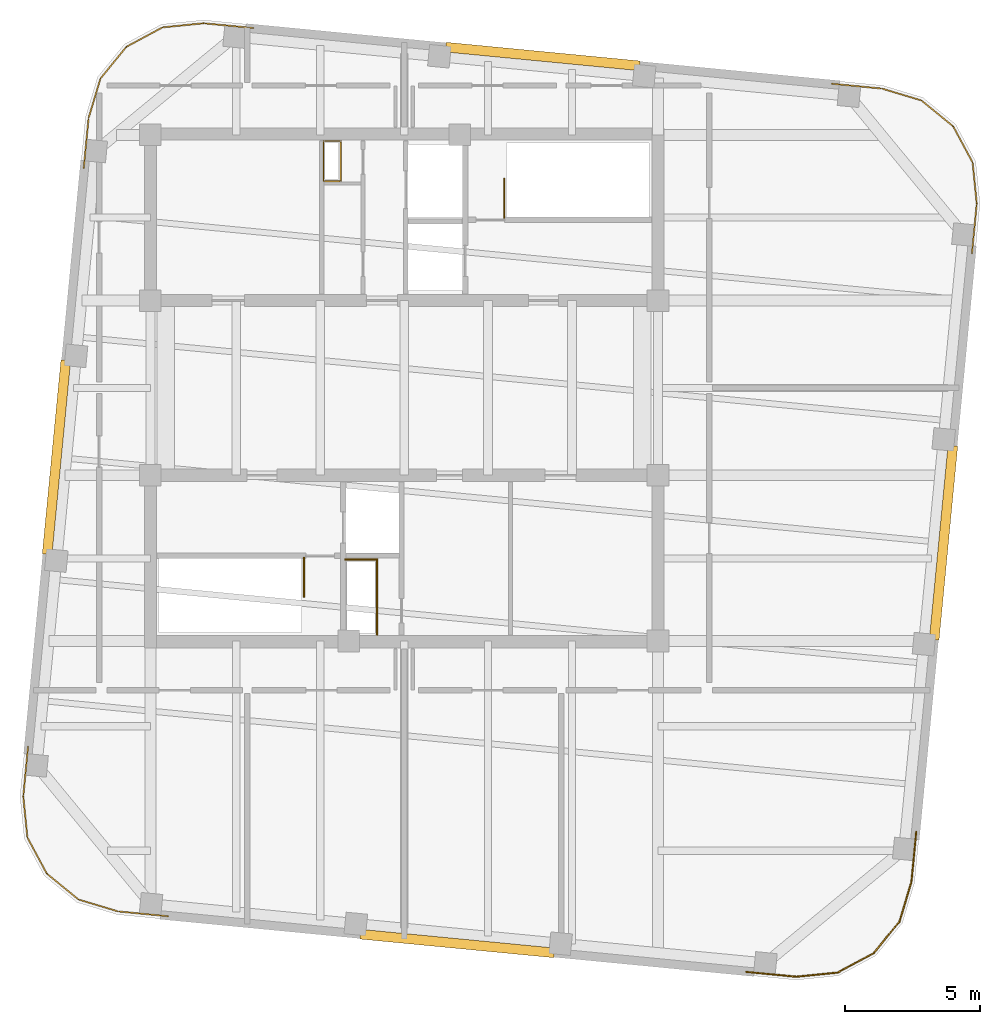
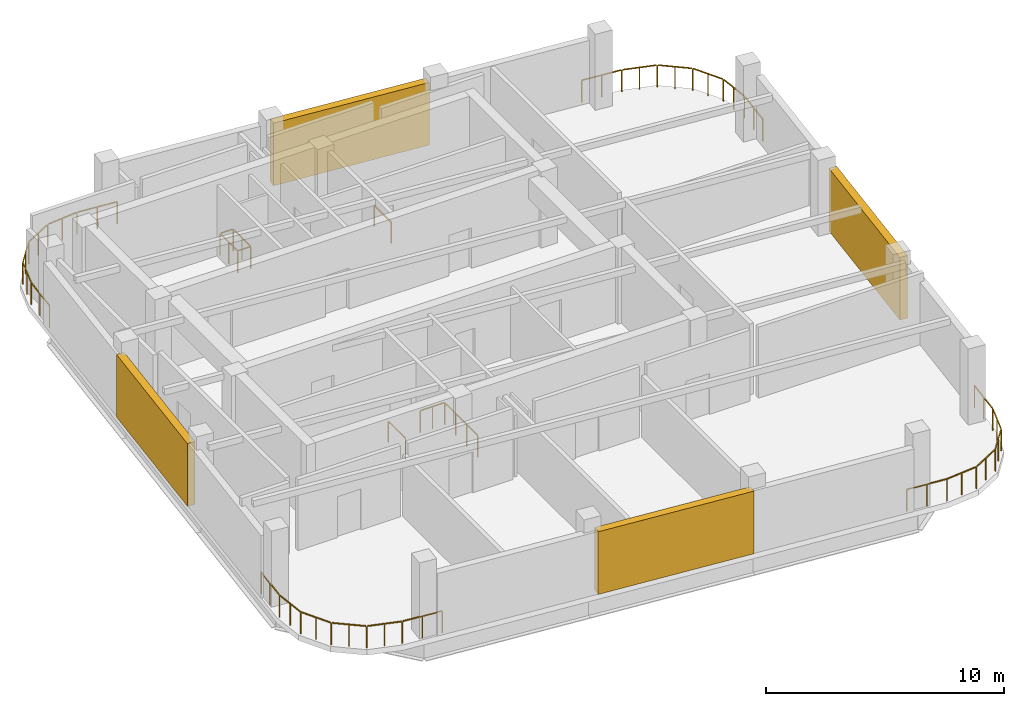
# One storey, part 5 of 5: 9 railings, 4 shading devices.
"""IFC4 building model written with IfcOpenShell, lengths in metres."""

from ifc_helpers import new_model, si_unit, direction, frame, origin, origin_2d, place, context, subcontext, project, spatial, rectangle, extrude, material, type_object, element, save


model = new_model("IFC4")

# Units and contexts
model_context = context("Model", 3, precision=1e-05, world=origin(), true_north=direction((0.0, 1.0)))
body_context = subcontext(model_context, "Body", "Model", "MODEL_VIEW")
ifc_project = project(units=[si_unit("LENGTHUNIT", "METRE"), si_unit("AREAUNIT", "SQUARE_METRE"), si_unit("VOLUMEUNIT", "CUBIC_METRE"), si_unit("PLANEANGLEUNIT", "RADIAN"), si_unit("MASSUNIT", "GRAM", prefix="KILO")], contexts=[model_context])

# Site, building, storey
site_placement = place(None, origin())
site = spatial("IfcSite", under=ifc_project, at=site_placement, CompositionType="ELEMENT")
building_placement = place(site_placement, origin())
building = spatial("IfcBuilding", under=site, at=building_placement, Name="Qhalaya Broadcast Tower", CompositionType="ELEMENT")
storey_placement = place(building_placement, frame((0.0, 0.0, 292.85009765625)))
storey = spatial("IfcBuildingStorey", under=building, at=storey_placement, Name="L86", CompositionType="ELEMENT", Elevation=292.85009765625)

# Shading devices
ifc_material_1 = material(Name="Fired Architectural Terracotta", Category="masonry")
shading_device_type = type_object("IfcShadingDeviceType", Name="Plant & Turbine-Slot Acoustic Louvre Screen LVS-01", PredefinedType="USERDEFINED", material=ifc_material_1)
for number, where, z_axis, x_axis, name in (
    (1, (1.96240234375, -19.92431640625, 0.0), (0.0, 0.0, 1.0), (-0.995396198367, 0.09584575252, 0.0), "L86 Plant Acoustic Louvre Screen S"),
    (2, (19.92431640625, -5.11767578125, 0.0), (0.0, 0.0, 1.0), (-0.09584575252, -0.995396198367, 0.0), "L86 Plant Acoustic Louvre Screen E"),
    (3, (5.11767578125, 12.84423828125, 0.0), (0.0, 0.0, 1.0), (0.995396198367, -0.09584575252, 0.0), "L86 Plant Acoustic Louvre Screen N"),
    (4, (-12.84423828125, -1.96240234375, 0.0), (0.0, 0.0, 1.0), (0.09584575252, 0.995396198367, 0.0), "L86 Plant Acoustic Louvre Screen W"),
):
    element("IfcShadingDevice", number, at=place(storey_placement, frame(where, z_axis=z_axis, x_axis=x_axis)), inside=storey, type_object=shading_device_type, Name=name, ObjectType="LOUVRE", PredefinedType="USERDEFINED", context=body_context, shape_type="SweptSolid", body=[
        extrude(rectangle(XDim=7.199951171875, YDim=0.360107421875, at=origin_2d()), origin(), (0.0, 0.0, 1.0), 3.214111328125),
    ])

# Railings
ifc_material_2 = material(Name="Powder-Coated Galvanised Steel", Category="steel")
railing_type_1 = type_object("IfcRailingType", Name="Stair Well & Landing Guardrail 1100", PredefinedType="GUARDRAIL", material=ifc_material_2)
railing_1_placement = place(storey_placement, frame((-2.340087890625, 8.239990234375, 0.0)))
element("IfcRailing", 5, at=railing_1_placement, inside=storey, type_object=railing_type_1, Name="L86 Service Riser Opening Safety Guard NRSR", PredefinedType="GUARDRAIL", context=body_context, shape_type="SweptSolid", body=[
    extrude(rectangle(XDim=0.048095703125, YDim=0.048095703125, at=origin_2d()), frame((0.0, 0.02880859375, 1.1259765625), z_axis=(0.0, 1.0, 0.0), x_axis=(-1.0, 0.0, 0.0)), (0.0, 0.0, 1.0), 1.42236328125),
    extrude(rectangle(XDim=0.048095703125, YDim=0.048095703125, at=origin_2d()), frame((-0.02880859375, 1.47998046875, 1.1259765625), z_axis=(-1.0, 0.0, 0.0), x_axis=(0.0, -1.0, 0.0)), (0.0, 0.0, 1.0), 0.582275390625),
    extrude(rectangle(XDim=0.048095703125, YDim=0.048095703125, at=origin_2d()), frame((-0.639892578125, 1.451171875, 1.1259765625), z_axis=(0.0, -1.0, 0.0), x_axis=(1.0, 0.0, 0.0)), (0.0, 0.0, 1.0), 1.42236328125),
    extrude(rectangle(XDim=0.048095703125, YDim=0.048095703125, at=origin_2d()), frame((-0.611083984375, 0.0, 1.1259765625), z_axis=(1.0, 0.0, 0.0), x_axis=(0.0, 1.0, 0.0)), (0.0, 0.0, 1.0), 0.582275390625),
    extrude(rectangle(XDim=0.0419921875, YDim=0.0419921875, at=origin_2d()), origin(), (0.0, 0.0, 1.0), 1.099853515625),
    extrude(rectangle(XDim=0.0419921875, YDim=0.0419921875, at=origin_2d()), frame((0.0, 0.739990234375, 0.0)), (0.0, 0.0, 1.0), 1.099853515625),
    extrude(rectangle(XDim=0.0419921875, YDim=0.0419921875, at=origin_2d()), frame((0.0, 1.47998046875, 0.0)), (0.0, 0.0, 1.0), 1.099853515625),
    extrude(rectangle(XDim=0.0419921875, YDim=0.0419921875, at=origin_2d()), frame((-0.639892578125, 1.47998046875, 0.0)), (0.0, 0.0, 1.0), 1.099853515625),
    extrude(rectangle(XDim=0.0419921875, YDim=0.0419921875, at=origin_2d()), frame((-0.639892578125, 0.739990234375, 0.0)), (0.0, 0.0, 1.0), 1.099853515625),
    extrude(rectangle(XDim=0.0419921875, YDim=0.0419921875, at=origin_2d()), frame((-0.639892578125, 0.0, 0.0)), (0.0, 0.0, 1.0), 1.099853515625),
])
railing_2_placement = place(storey_placement, frame((-1.0, -8.52001953125, 0.0)))
element("IfcRailing", 6, at=railing_2_placement, inside=storey, type_object=railing_type_1, Name="L86 Service Riser Opening Safety Guard SRSR", PredefinedType="GUARDRAIL", context=body_context, shape_type="SweptSolid", body=[
    extrude(rectangle(XDim=0.048095703125, YDim=0.048095703125, at=origin_2d()), frame((0.0, 0.0, 1.1259765625), z_axis=(0.0, 1.0, 0.0), x_axis=(-1.0, 0.0, 0.0)), (0.0, 0.0, 1.0), 2.751220703125),
    extrude(rectangle(XDim=0.048095703125, YDim=0.048095703125, at=origin_2d()), frame((-0.02880859375, 2.780029296875, 1.1259765625), z_axis=(-1.0, 0.0, 0.0), x_axis=(0.0, -1.0, 0.0)), (0.0, 0.0, 1.0), 1.151123046875),
    extrude(rectangle(XDim=0.0419921875, YDim=0.0419921875, at=origin_2d()), origin(), (0.0, 0.0, 1.0), 1.099853515625),
    extrude(rectangle(XDim=0.0419921875, YDim=0.0419921875, at=origin_2d()), frame((0.0, 0.9267578125, 0.0)), (0.0, 0.0, 1.0), 1.099853515625),
    extrude(rectangle(XDim=0.0419921875, YDim=0.0419921875, at=origin_2d()), frame((0.0, 1.853271484375, 0.0)), (0.0, 0.0, 1.0), 1.099853515625),
    extrude(rectangle(XDim=0.0419921875, YDim=0.0419921875, at=origin_2d()), frame((0.0, 2.780029296875, 0.0)), (0.0, 0.0, 1.0), 1.099853515625),
    extrude(rectangle(XDim=0.0419921875, YDim=0.0419921875, at=origin_2d()), frame((-0.58984375, 2.780029296875, 0.0)), (0.0, 0.0, 1.0), 1.099853515625),
    extrude(rectangle(XDim=0.0419921875, YDim=0.0419921875, at=origin_2d()), frame((-1.179931640625, 2.780029296875, 0.0)), (0.0, 0.0, 1.0), 1.099853515625),
])
railing_3_placement = place(storey_placement, frame((3.699951171875, 6.8798828125, 0.0)))
element("IfcRailing", 7, at=railing_3_placement, inside=storey, type_object=railing_type_1, Name="L86 ST-1 Top Well Guard 1", PredefinedType="GUARDRAIL", context=body_context, shape_type="SweptSolid", body=[
    extrude(rectangle(XDim=0.048095703125, YDim=0.048095703125, at=origin_2d()), frame((0.0, 0.0, 1.076171875), z_axis=(0.0, 1.0, 0.0), x_axis=(-1.0, 0.0, 0.0)), (0.0, 0.0, 1.0), 1.440185546875),
    extrude(rectangle(XDim=0.0419921875, YDim=0.0419921875, at=origin_2d()), origin(), (0.0, 0.0, 1.0), 1.050048828125),
    extrude(rectangle(XDim=0.0419921875, YDim=0.0419921875, at=origin_2d()), frame((0.0, 1.440185546875, 0.0)), (0.0, 0.0, 1.0), 1.050048828125),
])
railing_4_placement = place(storey_placement, frame((-3.699951171875, -5.679931640625, 0.0)))
element("IfcRailing", 8, at=railing_4_placement, inside=storey, type_object=railing_type_1, Name="L86 ST-2 Top Well Guard 1", PredefinedType="GUARDRAIL", context=body_context, shape_type="SweptSolid", body=[
    extrude(rectangle(XDim=0.048095703125, YDim=0.048095703125, at=origin_2d()), frame((0.0, 0.0, 1.076171875), z_axis=(0.0, -1.0, 0.0), x_axis=(1.0, 0.0, 0.0)), (0.0, 0.0, 1.0), 1.440185546875),
    extrude(rectangle(XDim=0.0419921875, YDim=0.0419921875, at=origin_2d()), origin(), (0.0, 0.0, 1.0), 1.050048828125),
    extrude(rectangle(XDim=0.0419921875, YDim=0.0419921875, at=origin_2d()), frame((0.0, -1.440185546875, 0.0)), (0.0, 0.0, 1.0), 1.050048828125),
])
railing_type_2 = type_object("IfcRailingType", Name="Terrace, Sky-Pool & Lookout Glass Balustrade 1150", PredefinedType="BALUSTRADE", material=ifc_material_2)
railing_5_placement = place(storey_placement, frame((14.49072265625, -21.150634765625, 0.0)))
element("IfcRailing", 9, at=railing_5_placement, inside=storey, type_object=railing_type_2, Name="L86 Rounded Corner Perimeter Guard 01", PredefinedType="BALUSTRADE", context=body_context, shape_type="SweptSolid", body=[
    extrude(rectangle(XDim=0.048095703125, YDim=0.048095703125, at=origin_2d()), frame((0.0, 0.0, 1.1259765625), z_axis=(-0.995392627918, 0.095882825813, 0.0), x_axis=(-0.095882825813, -0.995392627918, 0.0)), (0.0, 0.0, 1.0), 1.856201171875),
    extrude(rectangle(XDim=0.0419921875, YDim=0.0419921875, at=origin_2d()), origin(), (0.0, 0.0, 1.0), 1.099853515625),
    extrude(rectangle(XDim=0.0419921875, YDim=0.0419921875, at=origin_2d()), frame((-0.923828125, 0.0888671875, 0.0)), (0.0, 0.0, 1.0), 1.099853515625),
    extrude(rectangle(XDim=0.0419921875, YDim=0.0419921875, at=origin_2d()), frame((-1.84765625, 0.177978515625, 0.0)), (0.0, 0.0, 1.0), 1.099853515625),
])
railing_6_placement = place(storey_placement, frame((-8.72216796875, -18.91552734375, 0.0)))
element("IfcRailing", 10, at=railing_6_placement, inside=storey, type_object=railing_type_2, Name="L86 Rounded Corner Perimeter Guard 02", PredefinedType="BALUSTRADE", context=body_context, shape_type="SweptSolid", body=[
    extrude(rectangle(XDim=0.048095703125, YDim=0.048095703125, at=origin_2d()), frame((0.0, 0.0, 1.1259765625), z_axis=(-0.99539141849, 0.095895380478, 0.0), x_axis=(-0.095895380478, -0.99539141849, 0.0)), (0.0, 0.0, 1.0), 1.8271484375),
    extrude(rectangle(XDim=0.048095703125, YDim=0.048095703125, at=origin_2d()), frame((-1.875, 0.186279296875, 1.1259765625), z_axis=(-0.957588042461, 0.288140835244, 0.0), x_axis=(-0.288140835244, -0.957588042461, 0.0)), (0.0, 0.0, 1.0), 1.467529296875),
    extrude(rectangle(XDim=0.048095703125, YDim=0.048095703125, at=origin_2d()), frame((-3.330322265625, 0.6357421875, 1.1259765625), z_axis=(-0.774388490212, 0.632710412611, 0.0), x_axis=(-0.632710412611, -0.774388490212, 0.0)), (0.0, 0.0, 1.0), 1.455322265625),
    extrude(rectangle(XDim=0.048095703125, YDim=0.048095703125, at=origin_2d()), frame((-4.4931640625, 1.60009765625, 1.1259765625), z_axis=(-0.473416510775, 0.880838695406, 0.0), x_axis=(-0.880838695406, -0.473416510775, 0.0)), (0.0, 0.0, 1.0), 1.455322265625),
    extrude(rectangle(XDim=0.048095703125, YDim=0.048095703125, at=origin_2d()), frame((-5.19873046875, 2.936279296875, 1.1259765625), z_axis=(-0.100058483264, 0.994981557581, 0.0), x_axis=(-0.994981557581, -0.100058483264, 0.0)), (0.0, 0.0, 1.0), 1.46728515625),
    extrude(rectangle(XDim=0.048095703125, YDim=0.048095703125, at=origin_2d()), frame((-5.345703125, 4.45361328125, 1.1259765625), z_axis=(0.095882825813, 0.995392627918, 0.0), x_axis=(-0.995392627918, 0.095882825813, 0.0)), (0.0, 0.0, 1.0), 1.827392578125),
    extrude(rectangle(XDim=0.0419921875, YDim=0.0419921875, at=origin_2d()), origin(), (0.0, 0.0, 1.0), 1.099853515625),
    extrude(rectangle(XDim=0.0419921875, YDim=0.0419921875, at=origin_2d()), frame((-0.923828125, 0.0888671875, 0.0)), (0.0, 0.0, 1.0), 1.099853515625),
    extrude(rectangle(XDim=0.0419921875, YDim=0.0419921875, at=origin_2d()), frame((-1.847412109375, 0.177978515625, 0.0)), (0.0, 0.0, 1.0), 1.099853515625),
    extrude(rectangle(XDim=0.0419921875, YDim=0.0419921875, at=origin_2d()), frame((-2.57763671875, 0.397705078125, 0.0)), (0.0, 0.0, 1.0), 1.099853515625),
    extrude(rectangle(XDim=0.0419921875, YDim=0.0419921875, at=origin_2d()), frame((-3.307861328125, 0.617431640625, 0.0)), (0.0, 0.0, 1.0), 1.099853515625),
    extrude(rectangle(XDim=0.0419921875, YDim=0.0419921875, at=origin_2d()), frame((-3.8935546875, 1.09619140625, 0.0)), (0.0, 0.0, 1.0), 1.099853515625),
    extrude(rectangle(XDim=0.0419921875, YDim=0.0419921875, at=origin_2d()), frame((-4.4794921875, 1.57470703125, 0.0)), (0.0, 0.0, 1.0), 1.099853515625),
    extrude(rectangle(XDim=0.0419921875, YDim=0.0419921875, at=origin_2d()), frame((-4.837646484375, 2.2412109375, 0.0)), (0.0, 0.0, 1.0), 1.099853515625),
    extrude(rectangle(XDim=0.0419921875, YDim=0.0419921875, at=origin_2d()), frame((-5.19580078125, 2.907470703125, 0.0)), (0.0, 0.0, 1.0), 1.099853515625),
    extrude(rectangle(XDim=0.0419921875, YDim=0.0419921875, at=origin_2d()), frame((-5.27197265625, 3.666015625, 0.0)), (0.0, 0.0, 1.0), 1.099853515625),
    extrude(rectangle(XDim=0.0419921875, YDim=0.0419921875, at=origin_2d()), frame((-5.348388671875, 4.4248046875, 0.0)), (0.0, 0.0, 1.0), 1.099853515625),
    extrude(rectangle(XDim=0.0419921875, YDim=0.0419921875, at=origin_2d()), frame((-5.25927734375, 5.3486328125, 0.0)), (0.0, 0.0, 1.0), 1.099853515625),
    extrude(rectangle(XDim=0.0419921875, YDim=0.0419921875, at=origin_2d()), frame((-5.17041015625, 6.2724609375, 0.0)), (0.0, 0.0, 1.0), 1.099853515625),
])
railing_7_placement = place(storey_placement, frame((-11.83544921875, 8.72216796875, 0.0)))
element("IfcRailing", 11, at=railing_7_placement, inside=storey, type_object=railing_type_2, Name="L86 Rounded Corner Perimeter Guard 03", PredefinedType="BALUSTRADE", context=body_context, shape_type="SweptSolid", body=[
    extrude(rectangle(XDim=0.048095703125, YDim=0.048095703125, at=origin_2d()), frame((0.0, 0.0, 1.1259765625), z_axis=(0.095765043948, 0.995403966417, 0.0), x_axis=(-0.995403966417, 0.095765043948, 0.0)), (0.0, 0.0, 1.0), 1.8271484375),
    extrude(rectangle(XDim=0.048095703125, YDim=0.048095703125, at=origin_2d()), frame((0.18603515625, 1.875, 1.1259765625), z_axis=(0.28828761281, 0.957543864426, 0.0), x_axis=(-0.957543864426, 0.28828761281, 0.0)), (0.0, 0.0, 1.0), 1.467529296875),
    extrude(rectangle(XDim=0.048095703125, YDim=0.048095703125, at=origin_2d()), frame((0.6357421875, 3.330322265625, 1.1259765625), z_axis=(0.632710412611, 0.774388490212, 0.0), x_axis=(-0.774388490212, 0.632710412611, 0.0)), (0.0, 0.0, 1.0), 1.455322265625),
    extrude(rectangle(XDim=0.048095703125, YDim=0.048095703125, at=origin_2d()), frame((1.60009765625, 4.4931640625, 1.1259765625), z_axis=(0.880838695406, 0.473416510775, 0.0), x_axis=(-0.473416510775, 0.880838695406, 0.0)), (0.0, 0.0, 1.0), 1.455322265625),
    extrude(rectangle(XDim=0.048095703125, YDim=0.048095703125, at=origin_2d()), frame((2.936279296875, 5.19873046875, 1.1259765625), z_axis=(0.994981557581, 0.100058483264, 0.0), x_axis=(-0.100058483264, 0.994981557581, 0.0)), (0.0, 0.0, 1.0), 1.46728515625),
    extrude(rectangle(XDim=0.048095703125, YDim=0.048095703125, at=origin_2d()), frame((4.45361328125, 5.345703125, 1.1259765625), z_axis=(0.995392627918, -0.095882825813, 0.0), x_axis=(0.095882825813, 0.995392627918, 0.0)), (0.0, 0.0, 1.0), 1.827392578125),
    extrude(rectangle(XDim=0.0419921875, YDim=0.0419921875, at=origin_2d()), origin(), (0.0, 0.0, 1.0), 1.099853515625),
    extrude(rectangle(XDim=0.0419921875, YDim=0.0419921875, at=origin_2d()), frame((0.0888671875, 0.923828125, 0.0)), (0.0, 0.0, 1.0), 1.099853515625),
    extrude(rectangle(XDim=0.0419921875, YDim=0.0419921875, at=origin_2d()), frame((0.177734375, 1.847412109375, 0.0)), (0.0, 0.0, 1.0), 1.099853515625),
    extrude(rectangle(XDim=0.0419921875, YDim=0.0419921875, at=origin_2d()), frame((0.3974609375, 2.57763671875, 0.0)), (0.0, 0.0, 1.0), 1.099853515625),
    extrude(rectangle(XDim=0.0419921875, YDim=0.0419921875, at=origin_2d()), frame((0.617431640625, 3.307861328125, 0.0)), (0.0, 0.0, 1.0), 1.099853515625),
    extrude(rectangle(XDim=0.0419921875, YDim=0.0419921875, at=origin_2d()), frame((1.09619140625, 3.8935546875, 0.0)), (0.0, 0.0, 1.0), 1.099853515625),
    extrude(rectangle(XDim=0.0419921875, YDim=0.0419921875, at=origin_2d()), frame((1.57470703125, 4.4794921875, 0.0)), (0.0, 0.0, 1.0), 1.099853515625),
    extrude(rectangle(XDim=0.0419921875, YDim=0.0419921875, at=origin_2d()), frame((2.2412109375, 4.837646484375, 0.0)), (0.0, 0.0, 1.0), 1.099853515625),
    extrude(rectangle(XDim=0.0419921875, YDim=0.0419921875, at=origin_2d()), frame((2.907470703125, 5.19580078125, 0.0)), (0.0, 0.0, 1.0), 1.099853515625),
    extrude(rectangle(XDim=0.0419921875, YDim=0.0419921875, at=origin_2d()), frame((3.666015625, 5.27197265625, 0.0)), (0.0, 0.0, 1.0), 1.099853515625),
    extrude(rectangle(XDim=0.0419921875, YDim=0.0419921875, at=origin_2d()), frame((4.4248046875, 5.348388671875, 0.0)), (0.0, 0.0, 1.0), 1.099853515625),
    extrude(rectangle(XDim=0.0419921875, YDim=0.0419921875, at=origin_2d()), frame((5.3486328125, 5.25927734375, 0.0)), (0.0, 0.0, 1.0), 1.099853515625),
    extrude(rectangle(XDim=0.0419921875, YDim=0.0419921875, at=origin_2d()), frame((6.2724609375, 5.17041015625, 0.0)), (0.0, 0.0, 1.0), 1.099853515625),
])
railing_8_placement = place(storey_placement, frame((15.802001953125, 11.83544921875, 0.0)))
element("IfcRailing", 12, at=railing_8_placement, inside=storey, type_object=railing_type_2, Name="L86 Rounded Corner Perimeter Guard 04", PredefinedType="BALUSTRADE", context=body_context, shape_type="SweptSolid", body=[
    extrude(rectangle(XDim=0.048095703125, YDim=0.048095703125, at=origin_2d()), frame((0.0, 0.0, 1.1259765625), z_axis=(0.995405172575, -0.09575250603, 0.0), x_axis=(0.09575250603, 0.995405172575, 0.0)), (0.0, 0.0, 1.0), 1.827392578125),
    extrude(rectangle(XDim=0.048095703125, YDim=0.048095703125, at=origin_2d()), frame((1.875244140625, -0.18603515625, 1.1259765625), z_axis=(0.957543864426, -0.28828761281, 0.0), x_axis=(0.28828761281, 0.957543864426, 0.0)), (0.0, 0.0, 1.0), 1.467529296875),
    extrude(rectangle(XDim=0.048095703125, YDim=0.048095703125, at=origin_2d()), frame((3.33056640625, -0.6357421875, 1.1259765625), z_axis=(0.774388490212, -0.632710412611, 0.0), x_axis=(0.632710412611, 0.774388490212, 0.0)), (0.0, 0.0, 1.0), 1.455322265625),
    extrude(rectangle(XDim=0.048095703125, YDim=0.048095703125, at=origin_2d()), frame((4.493408203125, -1.60009765625, 1.1259765625), z_axis=(0.473291304579, -0.880905977395, 0.0), x_axis=(0.880905977395, 0.473291304579, 0.0)), (0.0, 0.0, 1.0), 1.455322265625),
    extrude(rectangle(XDim=0.048095703125, YDim=0.048095703125, at=origin_2d()), frame((5.19873046875, -2.936279296875, 1.1259765625), z_axis=(0.100216970219, -0.994965606883, 0.0), x_axis=(0.994965606883, 0.100216970219, 0.0)), (0.0, 0.0, 1.0), 1.46728515625),
    extrude(rectangle(XDim=0.048095703125, YDim=0.048095703125, at=origin_2d()), frame((5.345947265625, -4.45361328125, 1.1259765625), z_axis=(-0.095882825813, -0.995392627918, 0.0), x_axis=(0.995392627918, -0.095882825813, 0.0)), (0.0, 0.0, 1.0), 1.827392578125),
    extrude(rectangle(XDim=0.0419921875, YDim=0.0419921875, at=origin_2d()), origin(), (0.0, 0.0, 1.0), 1.099853515625),
    extrude(rectangle(XDim=0.0419921875, YDim=0.0419921875, at=origin_2d()), frame((0.923828125, -0.0888671875, 0.0)), (0.0, 0.0, 1.0), 1.099853515625),
    extrude(rectangle(XDim=0.0419921875, YDim=0.0419921875, at=origin_2d()), frame((1.84765625, -0.177734375, 0.0)), (0.0, 0.0, 1.0), 1.099853515625),
    extrude(rectangle(XDim=0.0419921875, YDim=0.0419921875, at=origin_2d()), frame((2.577880859375, -0.3974609375, 0.0)), (0.0, 0.0, 1.0), 1.099853515625),
    extrude(rectangle(XDim=0.0419921875, YDim=0.0419921875, at=origin_2d()), frame((3.30810546875, -0.617431640625, 0.0)), (0.0, 0.0, 1.0), 1.099853515625),
    extrude(rectangle(XDim=0.0419921875, YDim=0.0419921875, at=origin_2d()), frame((3.89404296875, -1.09619140625, 0.0)), (0.0, 0.0, 1.0), 1.099853515625),
    extrude(rectangle(XDim=0.0419921875, YDim=0.0419921875, at=origin_2d()), frame((4.479736328125, -1.57470703125, 0.0)), (0.0, 0.0, 1.0), 1.099853515625),
    extrude(rectangle(XDim=0.0419921875, YDim=0.0419921875, at=origin_2d()), frame((4.837890625, -2.2412109375, 0.0)), (0.0, 0.0, 1.0), 1.099853515625),
    extrude(rectangle(XDim=0.0419921875, YDim=0.0419921875, at=origin_2d()), frame((5.19580078125, -2.907470703125, 0.0)), (0.0, 0.0, 1.0), 1.099853515625),
    extrude(rectangle(XDim=0.0419921875, YDim=0.0419921875, at=origin_2d()), frame((5.272216796875, -3.666015625, 0.0)), (0.0, 0.0, 1.0), 1.099853515625),
    extrude(rectangle(XDim=0.0419921875, YDim=0.0419921875, at=origin_2d()), frame((5.3486328125, -4.4248046875, 0.0)), (0.0, 0.0, 1.0), 1.099853515625),
    extrude(rectangle(XDim=0.0419921875, YDim=0.0419921875, at=origin_2d()), frame((5.259765625, -5.3486328125, 0.0)), (0.0, 0.0, 1.0), 1.099853515625),
    extrude(rectangle(XDim=0.0419921875, YDim=0.0419921875, at=origin_2d()), frame((5.170654296875, -6.2724609375, 0.0)), (0.0, 0.0, 1.0), 1.099853515625),
])
railing_9_placement = place(storey_placement, frame((18.91552734375, -15.802001953125, 0.0)))
element("IfcRailing", 13, at=railing_9_placement, inside=storey, type_object=railing_type_2, Name="L86 Rounded Corner Perimeter Guard 05", PredefinedType="BALUSTRADE", context=body_context, shape_type="SweptSolid", body=[
    extrude(rectangle(XDim=0.048095703125, YDim=0.048095703125, at=origin_2d()), frame((0.0, 0.0, 1.1259765625), z_axis=(-0.095882825813, -0.995392627918, 0.0), x_axis=(0.995392627918, -0.095882825813, 0.0)), (0.0, 0.0, 1.0), 1.827392578125),
    extrude(rectangle(XDim=0.048095703125, YDim=0.048095703125, at=origin_2d()), frame((-0.186279296875, -1.875244140625, 1.1259765625), z_axis=(-0.288140835244, -0.957588042461, 0.0), x_axis=(0.957588042461, -0.288140835244, 0.0)), (0.0, 0.0, 1.0), 1.467529296875),
    extrude(rectangle(XDim=0.048095703125, YDim=0.048095703125, at=origin_2d()), frame((-0.6357421875, -3.33056640625, 1.1259765625), z_axis=(-0.632710412611, -0.774388490212, 0.0), x_axis=(0.774388490212, -0.632710412611, 0.0)), (0.0, 0.0, 1.0), 1.455322265625),
    extrude(rectangle(XDim=0.048095703125, YDim=0.048095703125, at=origin_2d()), frame((-1.60009765625, -4.493408203125, 1.1259765625), z_axis=(-0.880905977395, -0.473291304579, 0.0), x_axis=(0.473291304579, -0.880905977395, 0.0)), (0.0, 0.0, 1.0), 1.455322265625),
    extrude(rectangle(XDim=0.048095703125, YDim=0.048095703125, at=origin_2d()), frame((-2.936279296875, -5.19873046875, 1.1259765625), z_axis=(-0.994965606883, -0.100216970219, 0.0), x_axis=(0.100216970219, -0.994965606883, 0.0)), (0.0, 0.0, 1.0), 1.49609375),
    extrude(rectangle(XDim=0.0419921875, YDim=0.0419921875, at=origin_2d()), origin(), (0.0, 0.0, 1.0), 1.099853515625),
    extrude(rectangle(XDim=0.0419921875, YDim=0.0419921875, at=origin_2d()), frame((-0.0888671875, -0.923828125, 0.0)), (0.0, 0.0, 1.0), 1.099853515625),
    extrude(rectangle(XDim=0.0419921875, YDim=0.0419921875, at=origin_2d()), frame((-0.177978515625, -1.84765625, 0.0)), (0.0, 0.0, 1.0), 1.099853515625),
    extrude(rectangle(XDim=0.0419921875, YDim=0.0419921875, at=origin_2d()), frame((-0.397705078125, -2.577880859375, 0.0)), (0.0, 0.0, 1.0), 1.099853515625),
    extrude(rectangle(XDim=0.0419921875, YDim=0.0419921875, at=origin_2d()), frame((-0.617431640625, -3.30810546875, 0.0)), (0.0, 0.0, 1.0), 1.099853515625),
    extrude(rectangle(XDim=0.0419921875, YDim=0.0419921875, at=origin_2d()), frame((-1.09619140625, -3.89404296875, 0.0)), (0.0, 0.0, 1.0), 1.099853515625),
    extrude(rectangle(XDim=0.0419921875, YDim=0.0419921875, at=origin_2d()), frame((-1.57470703125, -4.479736328125, 0.0)), (0.0, 0.0, 1.0), 1.099853515625),
    extrude(rectangle(XDim=0.0419921875, YDim=0.0419921875, at=origin_2d()), frame((-2.2412109375, -4.837890625, 0.0)), (0.0, 0.0, 1.0), 1.099853515625),
    extrude(rectangle(XDim=0.0419921875, YDim=0.0419921875, at=origin_2d()), frame((-2.907470703125, -5.19580078125, 0.0)), (0.0, 0.0, 1.0), 1.099853515625),
    extrude(rectangle(XDim=0.0419921875, YDim=0.0419921875, at=origin_2d()), frame((-3.666015625, -5.272216796875, 0.0)), (0.0, 0.0, 1.0), 1.099853515625),
    extrude(rectangle(XDim=0.0419921875, YDim=0.0419921875, at=origin_2d()), frame((-4.4248046875, -5.3486328125, 0.0)), (0.0, 0.0, 1.0), 1.099853515625),
])

save(model, "model.ifc")
